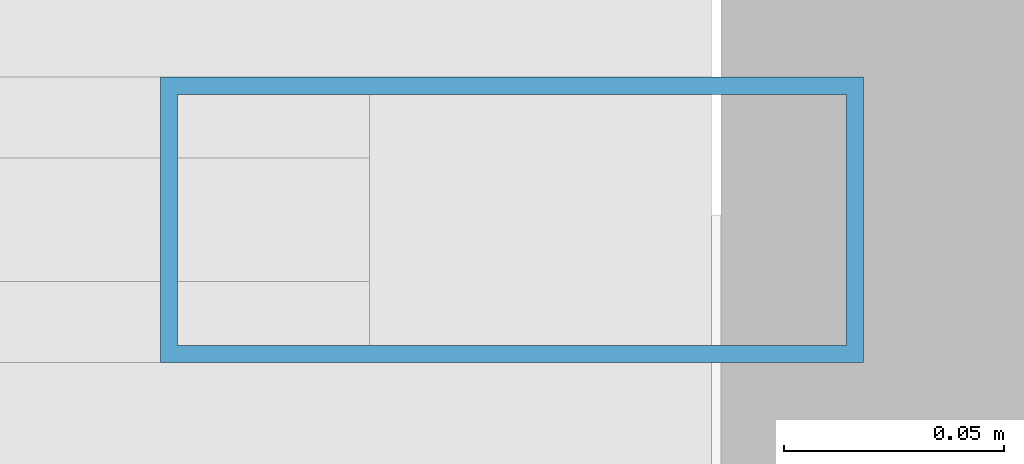
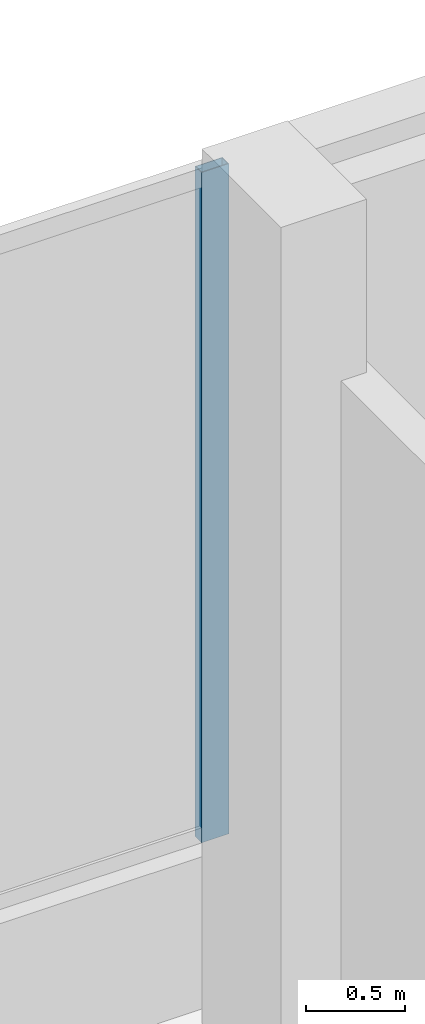
# One storey, part 77 of 158: 1 member, 1 element without a shape of its own.
"""IFC4 building model written with IfcOpenShell, lengths in metres."""

from ifc_helpers import new_model, si_unit, direction, frame, origin, origin_2d, place, context, subcontext, project, spatial, hollow_rectangle, extrude, material, material_profile, profile_set, type_object, element, aggregate, save


model = new_model("IFC4")

# Units and contexts
model_context = context("Model", 3, precision=1e-05, world=origin(), true_north=direction((0.0, 1.0)))
body_context = subcontext(model_context, "Body", "Model", "MODEL_VIEW")
ifc_project = project(units=[si_unit("LENGTHUNIT", "METRE"), si_unit("AREAUNIT", "SQUARE_METRE"), si_unit("VOLUMEUNIT", "CUBIC_METRE"), si_unit("PLANEANGLEUNIT", "RADIAN"), si_unit("MASSUNIT", "GRAM", prefix="KILO")], contexts=[model_context])

# Site, building, storey
site_placement = place(None, origin())
site = spatial("IfcSite", under=ifc_project, at=site_placement, CompositionType="ELEMENT")
building_placement = place(site_placement, origin())
building = spatial("IfcBuilding", under=site, at=building_placement, Name="Selatvlak General Hospital", CompositionType="ELEMENT")
storey_placement = place(building_placement, origin())
storey = spatial("IfcBuildingStorey", under=building, at=storey_placement, Name="L00", CompositionType="ELEMENT", Elevation=0.0)

# Curtain wall, member
ifc_material_1 = material(Name="Solar-control Low-E double glazing", Category="glass")
curtain_wall_type = type_object("IfcCurtainWallType", Name="CW-CW-02", PredefinedType="USERDEFINED", material=ifc_material_1)
curtain_wall_placement = place(storey_placement, origin())
curtain_wall = element("IfcCurtainWall", 1, at=curtain_wall_placement, inside=storey, type_object=curtain_wall_type, Name="Glazed facade curtain wall CW-L00-0004", ObjectType="UNITISED CURTAIN WALL", PredefinedType="USERDEFINED")
ifc_material_2 = material(Name="Dark anodised aluminium mullion", Category="aluminium")
ifc_material_profile = material_profile(ifc_material_2, hollow_rectangle(XDim=0.06494140625, YDim=0.159912109375, WallThickness=0.00390625, at=origin_2d()), Name="AL-MUL 65x160x4")
ifc_profile_set = profile_set([ifc_material_profile], Name="Dark anodised aluminium mullion")
member_type = type_object("IfcMemberType", Name="CWM-01", PredefinedType="MULLION", material=ifc_profile_set)
member_placement = place(storey_placement, frame((39.552490234375, 119.9990234375, 0.93994140625), z_axis=(0.0, 0.0, 1.0), x_axis=(0.0, 1.0, 0.0)))
member = element("IfcMember", 2, at=member_placement, type_object=member_type, Name="CW-02 mullion 4", PredefinedType="MULLION", context=body_context, shape_type="SweptSolid", body=[
    extrude(hollow_rectangle(XDim=0.06494140625, YDim=0.159912109375, WallThickness=0.00390625, at=origin_2d()), origin(), (0.0, 0.0, 1.0), 4.14013671875),
])
aggregate(curtain_wall, [member])

save(model, "model.ifc")
